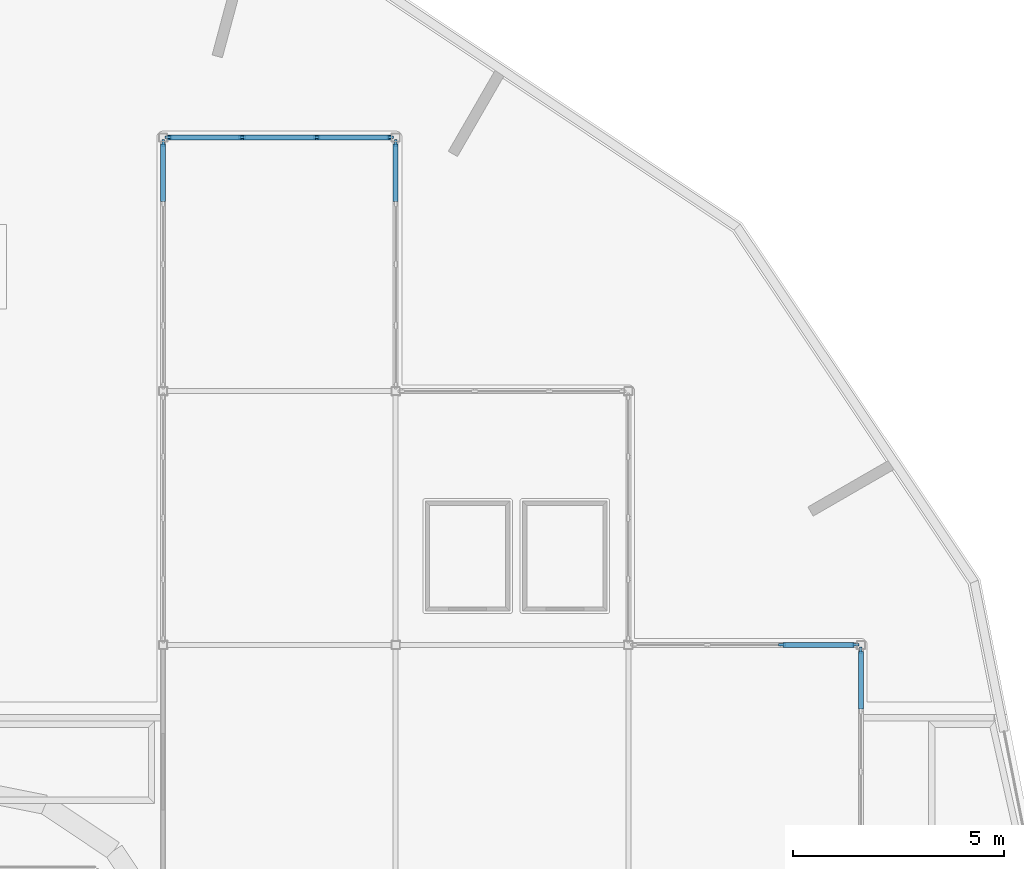
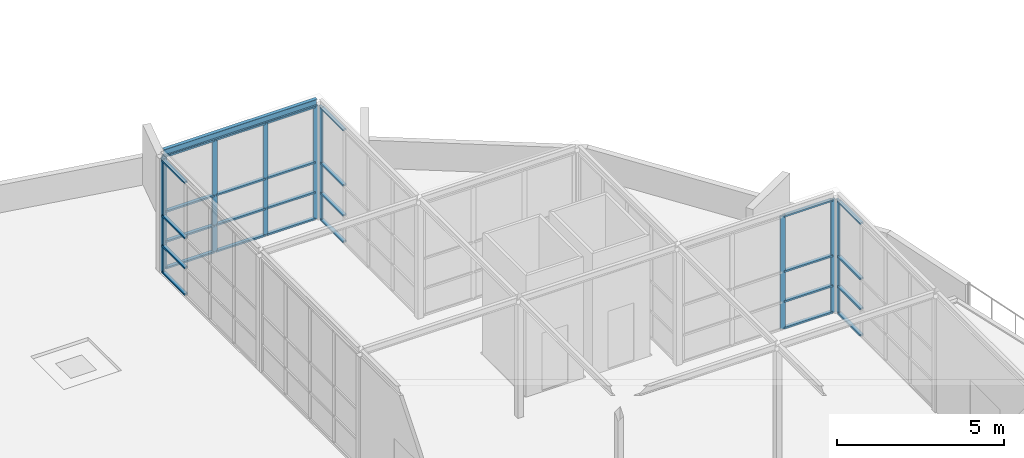
# One storey, part 15 of 40: 37 members, 1 beam, 5 elements without a shape of their own.
"""IFC4 building model written with IfcOpenShell, lengths in metres."""

from ifc_helpers import new_model, si_unit, direction, frame, origin, origin_2d, place, context, subcontext, project, spatial, rectangle, i_section, extrude, material, material_profile, profile_set, type_object, element, aggregate, save


model = new_model("IFC4")

# Units and contexts
model_context = context("Model", 3, precision=1e-05, world=origin(), true_north=direction((0.0, 1.0)))
body_context = subcontext(model_context, "Body", "Model", "MODEL_VIEW")
ifc_project = project(units=[si_unit("LENGTHUNIT", "METRE"), si_unit("AREAUNIT", "SQUARE_METRE"), si_unit("VOLUMEUNIT", "CUBIC_METRE"), si_unit("PLANEANGLEUNIT", "RADIAN"), si_unit("MASSUNIT", "GRAM", prefix="KILO")], contexts=[model_context])

# Site, building, storey
site_placement = place(None, origin())
site = spatial("IfcSite", under=ifc_project, at=site_placement, CompositionType="ELEMENT")
building_placement = place(site_placement, origin())
building = spatial("IfcBuilding", under=site, at=building_placement, Name="Ceibo Conservatory and Research Tower", CompositionType="ELEMENT")
storey_placement = place(building_placement, frame((0.0, 0.0, 6.0)))
storey = spatial("IfcBuildingStorey", under=building, at=storey_placement, Name="L01", CompositionType="ELEMENT", Elevation=6.0)

# Beam
ifc_material_1 = material(Name="Steel S355J2", Category="steel")
ifc_material_profile_1 = material_profile(ifc_material_1, i_section(OverallWidth=0.1201171875, OverallDepth=0.239990234375, WebThickness=0.006103515625, FlangeThickness=0.009765625, at=origin_2d()), Name="IPE 240")
ifc_profile_set_1 = profile_set([ifc_material_profile_1], Name="Steel S355J2")
beam_type = type_object("IfcBeamType", Name="IPE 240 gallery roof beam", PredefinedType="BEAM", material=ifc_profile_set_1)
beam_placement = place(storey_placement, frame((172.794921875, 56.39990234375, 4.280029296875), z_axis=(1.0, 0.0, 0.0), x_axis=(0.0, 1.0, 0.0)))
element("IfcBeam", 1, at=beam_placement, inside=storey, type_object=beam_type, Name="Sky Gallery roof beam VC-SBh05", PredefinedType="BEAM", context=body_context, shape_type="SweptSolid", body=[
    extrude(i_section(OverallWidth=0.1201171875, OverallDepth=0.239990234375, WebThickness=0.006103515625, FlangeThickness=0.009765625, at=origin_2d()), origin(), (0.0, 0.0, 1.0), 5.31005859375),
])

# Curtain wall, members
ifc_material_2 = material(Name="Aluminium and glass", Category="aluminium")
curtain_wall_type = type_object("IfcCurtainWallType", Name="Sky gallery curtain wall", PredefinedType="NOTDEFINED", material=ifc_material_2)
curtain_wall_1_placement = place(storey_placement, origin())
curtain_wall_1 = element("IfcCurtainWall", 2, at=curtain_wall_1_placement, inside=storey, type_object=curtain_wall_type, Name="Sky Gallery curtain wall h23", PredefinedType="NOTDEFINED")
ifc_material_3 = material(Name="Aluminium", Category="aluminium")
ifc_material_profile_2 = material_profile(ifc_material_3, rectangle(XDim=0.06005859375, YDim=0.159912109375, at=origin_2d()), Name="AL 60x160")
ifc_profile_set_2 = profile_set([ifc_material_profile_2], Name="Aluminium")
member_type_1 = type_object("IfcMemberType", Name="Sky gallery mullion 60x160", PredefinedType="MULLION", material=ifc_profile_set_2)
member_1_placement = place(storey_placement, frame((187.333251953125, 44.39990234375, 0.0), z_axis=(0.0, 0.0, 1.0), x_axis=(0.0, 1.0, 0.0)))
member_1 = element("IfcMember", 3, at=member_1_placement, type_object=member_type_1, Name="VC-SWh23 mullion 3", PredefinedType="MULLION", context=body_context, shape_type="SweptSolid", body=[
    extrude(rectangle(XDim=0.06005859375, YDim=0.159912109375, at=origin_2d()), origin(), (0.0, 0.0, 1.0), 4.159912109375),
])
member_2_placement = place(storey_placement, frame((189.070068359375, 44.39990234375, 0.0), z_axis=(0.0, 0.0, 1.0), x_axis=(0.0, 1.0, 0.0)))
member_2 = element("IfcMember", 4, at=member_2_placement, type_object=member_type_1, Name="VC-SWh23 mullion 4", PredefinedType="MULLION", context=body_context, shape_type="SweptSolid", body=[
    extrude(rectangle(XDim=0.06005859375, YDim=0.159912109375, at=origin_2d()), origin(), (0.0, 0.0, 1.0), 4.159912109375),
])

curtain_wall_2_placement = place(storey_placement, origin())
curtain_wall_2 = element("IfcCurtainWall", 5, at=curtain_wall_2_placement, inside=storey, type_object=curtain_wall_type, Name="Sky Gallery curtain wall h05", PredefinedType="NOTDEFINED")
member_3_placement = place(storey_placement, frame((172.830078125, 56.39990234375, 0.0), z_axis=(0.0, 0.0, 1.0), x_axis=(0.0, 1.0, 0.0)))
member_3 = element("IfcMember", 6, at=member_3_placement, type_object=member_type_1, Name="VC-SWh05 mullion 1", PredefinedType="MULLION", context=body_context, shape_type="SweptSolid", body=[
    extrude(rectangle(XDim=0.06005859375, YDim=0.159912109375, at=origin_2d()), origin(), (0.0, 0.0, 1.0), 4.159912109375),
])
member_4_placement = place(storey_placement, frame((174.566650390625, 56.39990234375, 0.0), z_axis=(0.0, 0.0, 1.0), x_axis=(0.0, 1.0, 0.0)))
member_4 = element("IfcMember", 7, at=member_4_placement, type_object=member_type_1, Name="VC-SWh05 mullion 2", PredefinedType="MULLION", context=body_context, shape_type="SweptSolid", body=[
    extrude(rectangle(XDim=0.06005859375, YDim=0.159912109375, at=origin_2d()), origin(), (0.0, 0.0, 1.0), 4.159912109375),
])
member_5_placement = place(storey_placement, frame((176.333251953125, 56.39990234375, 0.0), z_axis=(0.0, 0.0, 1.0), x_axis=(0.0, 1.0, 0.0)))
member_5 = element("IfcMember", 8, at=member_5_placement, type_object=member_type_1, Name="VC-SWh05 mullion 3", PredefinedType="MULLION", context=body_context, shape_type="SweptSolid", body=[
    extrude(rectangle(XDim=0.06005859375, YDim=0.159912109375, at=origin_2d()), origin(), (0.0, 0.0, 1.0), 4.159912109375),
])
member_6_placement = place(storey_placement, frame((178.070068359375, 56.39990234375, 0.0), z_axis=(0.0, 0.0, 1.0), x_axis=(0.0, 1.0, 0.0)))
member_6 = element("IfcMember", 9, at=member_6_placement, type_object=member_type_1, Name="VC-SWh05 mullion 4", PredefinedType="MULLION", context=body_context, shape_type="SweptSolid", body=[
    extrude(rectangle(XDim=0.06005859375, YDim=0.159912109375, at=origin_2d()), origin(), (0.0, 0.0, 1.0), 4.159912109375),
])

# Curtain wall, member
curtain_wall_3_placement = place(storey_placement, origin())
curtain_wall_3 = element("IfcCurtainWall", 10, at=curtain_wall_3_placement, inside=storey, type_object=curtain_wall_type, Name="Sky Gallery curtain wall v04", PredefinedType="NOTDEFINED")
member_7_placement = place(storey_placement, frame((172.699951171875, 56.27001953125, 0.0), z_axis=(0.0, 0.0, 1.0), x_axis=(-1.0, 0.0, 0.0)))
member_7 = element("IfcMember", 11, at=member_7_placement, type_object=member_type_1, Name="VC-SWv04 mullion 5", PredefinedType="MULLION", context=body_context, shape_type="SweptSolid", body=[
    extrude(rectangle(XDim=0.06005859375, YDim=0.159912109375, at=origin_2d()), origin(), (0.0, 0.0, 1.0), 4.159912109375),
])

curtain_wall_4_placement = place(storey_placement, origin())
curtain_wall_4 = element("IfcCurtainWall", 12, at=curtain_wall_4_placement, inside=storey, type_object=curtain_wall_type, Name="Sky Gallery curtain wall v14", PredefinedType="NOTDEFINED")
member_8_placement = place(storey_placement, frame((178.199951171875, 56.27001953125, 0.0), z_axis=(0.0, 0.0, 1.0), x_axis=(-1.0, 0.0, 0.0)))
member_8 = element("IfcMember", 13, at=member_8_placement, type_object=member_type_1, Name="VC-SWv14 mullion 5", PredefinedType="MULLION", context=body_context, shape_type="SweptSolid", body=[
    extrude(rectangle(XDim=0.06005859375, YDim=0.159912109375, at=origin_2d()), origin(), (0.0, 0.0, 1.0), 4.159912109375),
])

curtain_wall_5_placement = place(storey_placement, origin())
curtain_wall_5 = element("IfcCurtainWall", 14, at=curtain_wall_5_placement, inside=storey, type_object=curtain_wall_type, Name="Sky Gallery curtain wall v32", PredefinedType="NOTDEFINED")
member_9_placement = place(storey_placement, frame((189.199951171875, 44.27001953125, 0.0), z_axis=(0.0, 0.0, 1.0), x_axis=(-1.0, 0.0, 0.0)))
member_9 = element("IfcMember", 15, at=member_9_placement, type_object=member_type_1, Name="VC-SWv32 mullion 5", PredefinedType="MULLION", context=body_context, shape_type="SweptSolid", body=[
    extrude(rectangle(XDim=0.06005859375, YDim=0.159912109375, at=origin_2d()), origin(), (0.0, 0.0, 1.0), 4.159912109375),
])

# Member
ifc_material_profile_3 = material_profile(ifc_material_3, rectangle(XDim=0.1201171875, YDim=0.06005859375, at=origin_2d()), Name="AL 60x120")
ifc_profile_set_3 = profile_set([ifc_material_profile_3], Name="Aluminium")
member_type_2 = type_object("IfcMemberType", Name="Sky gallery transom 60x120", PredefinedType="USERDEFINED", material=ifc_profile_set_3)
member_10_placement = place(storey_placement, frame((187.36328125, 44.39990234375, 0.030029296875), z_axis=(1.0, 0.0, 0.0), x_axis=(0.0, 1.0, 0.0)))
member_10 = element("IfcMember", 16, at=member_10_placement, type_object=member_type_2, Name="VC-SWh23 transom 3.1", ObjectType="TRANSOM", PredefinedType="USERDEFINED", context=body_context, shape_type="SweptSolid", body=[
    extrude(rectangle(XDim=0.1201171875, YDim=0.06005859375, at=origin_2d()), origin(), (0.0, 0.0, 1.0), 1.6767578125),
])

member_11_placement = place(storey_placement, frame((187.36328125, 44.39990234375, 1.0), z_axis=(1.0, 0.0, 0.0), x_axis=(0.0, 1.0, 0.0)))
member_11 = element("IfcMember", 17, at=member_11_placement, type_object=member_type_2, Name="VC-SWh23 transom 3.2", ObjectType="TRANSOM", PredefinedType="USERDEFINED", context=body_context, shape_type="SweptSolid", body=[
    extrude(rectangle(XDim=0.1201171875, YDim=0.06005859375, at=origin_2d()), origin(), (0.0, 0.0, 1.0), 1.6767578125),
])

member_12_placement = place(storey_placement, frame((187.36328125, 44.39990234375, 2.10009765625), z_axis=(1.0, 0.0, 0.0), x_axis=(0.0, 1.0, 0.0)))
member_12 = element("IfcMember", 18, at=member_12_placement, type_object=member_type_2, Name="VC-SWh23 transom 3.3", ObjectType="TRANSOM", PredefinedType="USERDEFINED", context=body_context, shape_type="SweptSolid", body=[
    extrude(rectangle(XDim=0.1201171875, YDim=0.06005859375, at=origin_2d()), origin(), (0.0, 0.0, 1.0), 1.6767578125),
])

member_13_placement = place(storey_placement, frame((187.36328125, 44.39990234375, 4.1298828125), z_axis=(1.0, 0.0, 0.0), x_axis=(0.0, 1.0, 0.0)))
member_13 = element("IfcMember", 19, at=member_13_placement, type_object=member_type_2, Name="VC-SWh23 transom 3.4", ObjectType="TRANSOM", PredefinedType="USERDEFINED", context=body_context, shape_type="SweptSolid", body=[
    extrude(rectangle(XDim=0.1201171875, YDim=0.06005859375, at=origin_2d()), origin(), (0.0, 0.0, 1.0), 1.6767578125),
])

aggregate(curtain_wall_1, [member_1, member_2, member_10, member_11, member_12, member_13])

member_14_placement = place(storey_placement, frame((172.860107421875, 56.39990234375, 0.030029296875), z_axis=(1.0, 0.0, 0.0), x_axis=(0.0, 1.0, 0.0)))
member_14 = element("IfcMember", 20, at=member_14_placement, type_object=member_type_2, Name="VC-SWh05 transom 1.1", ObjectType="TRANSOM", PredefinedType="USERDEFINED", context=body_context, shape_type="SweptSolid", body=[
    extrude(rectangle(XDim=0.1201171875, YDim=0.06005859375, at=origin_2d()), origin(), (0.0, 0.0, 1.0), 1.676513671875),
])

member_15_placement = place(storey_placement, frame((172.860107421875, 56.39990234375, 1.0), z_axis=(1.0, 0.0, 0.0), x_axis=(0.0, 1.0, 0.0)))
member_15 = element("IfcMember", 21, at=member_15_placement, type_object=member_type_2, Name="VC-SWh05 transom 1.2", ObjectType="TRANSOM", PredefinedType="USERDEFINED", context=body_context, shape_type="SweptSolid", body=[
    extrude(rectangle(XDim=0.1201171875, YDim=0.06005859375, at=origin_2d()), origin(), (0.0, 0.0, 1.0), 1.676513671875),
])

member_16_placement = place(storey_placement, frame((172.860107421875, 56.39990234375, 2.10009765625), z_axis=(1.0, 0.0, 0.0), x_axis=(0.0, 1.0, 0.0)))
member_16 = element("IfcMember", 22, at=member_16_placement, type_object=member_type_2, Name="VC-SWh05 transom 1.3", ObjectType="TRANSOM", PredefinedType="USERDEFINED", context=body_context, shape_type="SweptSolid", body=[
    extrude(rectangle(XDim=0.1201171875, YDim=0.06005859375, at=origin_2d()), origin(), (0.0, 0.0, 1.0), 1.676513671875),
])

member_17_placement = place(storey_placement, frame((172.860107421875, 56.39990234375, 4.1298828125), z_axis=(1.0, 0.0, 0.0), x_axis=(0.0, 1.0, 0.0)))
member_17 = element("IfcMember", 23, at=member_17_placement, type_object=member_type_2, Name="VC-SWh05 transom 1.4", ObjectType="TRANSOM", PredefinedType="USERDEFINED", context=body_context, shape_type="SweptSolid", body=[
    extrude(rectangle(XDim=0.1201171875, YDim=0.06005859375, at=origin_2d()), origin(), (0.0, 0.0, 1.0), 1.676513671875),
])

member_18_placement = place(storey_placement, frame((174.5966796875, 56.39990234375, 0.030029296875), z_axis=(1.0, 0.0, 0.0), x_axis=(0.0, 1.0, 0.0)))
member_18 = element("IfcMember", 24, at=member_18_placement, type_object=member_type_2, Name="VC-SWh05 transom 2.1", ObjectType="TRANSOM", PredefinedType="USERDEFINED", context=body_context, shape_type="SweptSolid", body=[
    extrude(rectangle(XDim=0.1201171875, YDim=0.06005859375, at=origin_2d()), origin(), (0.0, 0.0, 1.0), 1.70654296875),
])

member_19_placement = place(storey_placement, frame((174.5966796875, 56.39990234375, 1.0), z_axis=(1.0, 0.0, 0.0), x_axis=(0.0, 1.0, 0.0)))
member_19 = element("IfcMember", 25, at=member_19_placement, type_object=member_type_2, Name="VC-SWh05 transom 2.2", ObjectType="TRANSOM", PredefinedType="USERDEFINED", context=body_context, shape_type="SweptSolid", body=[
    extrude(rectangle(XDim=0.1201171875, YDim=0.06005859375, at=origin_2d()), origin(), (0.0, 0.0, 1.0), 1.70654296875),
])

member_20_placement = place(storey_placement, frame((174.5966796875, 56.39990234375, 2.10009765625), z_axis=(1.0, 0.0, 0.0), x_axis=(0.0, 1.0, 0.0)))
member_20 = element("IfcMember", 26, at=member_20_placement, type_object=member_type_2, Name="VC-SWh05 transom 2.3", ObjectType="TRANSOM", PredefinedType="USERDEFINED", context=body_context, shape_type="SweptSolid", body=[
    extrude(rectangle(XDim=0.1201171875, YDim=0.06005859375, at=origin_2d()), origin(), (0.0, 0.0, 1.0), 1.70654296875),
])

member_21_placement = place(storey_placement, frame((174.5966796875, 56.39990234375, 4.1298828125), z_axis=(1.0, 0.0, 0.0), x_axis=(0.0, 1.0, 0.0)))
member_21 = element("IfcMember", 27, at=member_21_placement, type_object=member_type_2, Name="VC-SWh05 transom 2.4", ObjectType="TRANSOM", PredefinedType="USERDEFINED", context=body_context, shape_type="SweptSolid", body=[
    extrude(rectangle(XDim=0.1201171875, YDim=0.06005859375, at=origin_2d()), origin(), (0.0, 0.0, 1.0), 1.70654296875),
])

member_22_placement = place(storey_placement, frame((176.36328125, 56.39990234375, 0.030029296875), z_axis=(1.0, 0.0, 0.0), x_axis=(0.0, 1.0, 0.0)))
member_22 = element("IfcMember", 28, at=member_22_placement, type_object=member_type_2, Name="VC-SWh05 transom 3.1", ObjectType="TRANSOM", PredefinedType="USERDEFINED", context=body_context, shape_type="SweptSolid", body=[
    extrude(rectangle(XDim=0.1201171875, YDim=0.06005859375, at=origin_2d()), origin(), (0.0, 0.0, 1.0), 1.6767578125),
])

member_23_placement = place(storey_placement, frame((176.36328125, 56.39990234375, 1.0), z_axis=(1.0, 0.0, 0.0), x_axis=(0.0, 1.0, 0.0)))
member_23 = element("IfcMember", 29, at=member_23_placement, type_object=member_type_2, Name="VC-SWh05 transom 3.2", ObjectType="TRANSOM", PredefinedType="USERDEFINED", context=body_context, shape_type="SweptSolid", body=[
    extrude(rectangle(XDim=0.1201171875, YDim=0.06005859375, at=origin_2d()), origin(), (0.0, 0.0, 1.0), 1.6767578125),
])

member_24_placement = place(storey_placement, frame((176.36328125, 56.39990234375, 2.10009765625), z_axis=(1.0, 0.0, 0.0), x_axis=(0.0, 1.0, 0.0)))
member_24 = element("IfcMember", 30, at=member_24_placement, type_object=member_type_2, Name="VC-SWh05 transom 3.3", ObjectType="TRANSOM", PredefinedType="USERDEFINED", context=body_context, shape_type="SweptSolid", body=[
    extrude(rectangle(XDim=0.1201171875, YDim=0.06005859375, at=origin_2d()), origin(), (0.0, 0.0, 1.0), 1.6767578125),
])

member_25_placement = place(storey_placement, frame((176.36328125, 56.39990234375, 4.1298828125), z_axis=(1.0, 0.0, 0.0), x_axis=(0.0, 1.0, 0.0)))
member_25 = element("IfcMember", 31, at=member_25_placement, type_object=member_type_2, Name="VC-SWh05 transom 3.4", ObjectType="TRANSOM", PredefinedType="USERDEFINED", context=body_context, shape_type="SweptSolid", body=[
    extrude(rectangle(XDim=0.1201171875, YDim=0.06005859375, at=origin_2d()), origin(), (0.0, 0.0, 1.0), 1.6767578125),
])

aggregate(curtain_wall_2, [member_3, member_4, member_5, member_6, member_14, member_15, member_16, member_17, member_18, member_19, member_20, member_21, member_22, member_23, member_24, member_25])

member_26_placement = place(storey_placement, frame((172.699951171875, 54.8798828125, 0.030029296875), z_axis=(0.0, 1.0, 0.0), x_axis=(-1.0, 0.0, 0.0)))
member_26 = element("IfcMember", 32, at=member_26_placement, type_object=member_type_2, Name="VC-SWv04 transom 4.1", ObjectType="TRANSOM", PredefinedType="USERDEFINED", context=body_context, shape_type="SweptSolid", body=[
    extrude(rectangle(XDim=0.1201171875, YDim=0.06005859375, at=origin_2d()), origin(), (0.0, 0.0, 1.0), 1.360107421875),
])

member_27_placement = place(storey_placement, frame((172.699951171875, 54.8798828125, 1.0), z_axis=(0.0, 1.0, 0.0), x_axis=(-1.0, 0.0, 0.0)))
member_27 = element("IfcMember", 33, at=member_27_placement, type_object=member_type_2, Name="VC-SWv04 transom 4.2", ObjectType="TRANSOM", PredefinedType="USERDEFINED", context=body_context, shape_type="SweptSolid", body=[
    extrude(rectangle(XDim=0.1201171875, YDim=0.06005859375, at=origin_2d()), origin(), (0.0, 0.0, 1.0), 1.360107421875),
])

member_28_placement = place(storey_placement, frame((172.699951171875, 54.8798828125, 2.10009765625), z_axis=(0.0, 1.0, 0.0), x_axis=(-1.0, 0.0, 0.0)))
member_28 = element("IfcMember", 34, at=member_28_placement, type_object=member_type_2, Name="VC-SWv04 transom 4.3", ObjectType="TRANSOM", PredefinedType="USERDEFINED", context=body_context, shape_type="SweptSolid", body=[
    extrude(rectangle(XDim=0.1201171875, YDim=0.06005859375, at=origin_2d()), origin(), (0.0, 0.0, 1.0), 1.360107421875),
])

member_29_placement = place(storey_placement, frame((172.699951171875, 54.8798828125, 4.1298828125), z_axis=(0.0, 1.0, 0.0), x_axis=(-1.0, 0.0, 0.0)))
member_29 = element("IfcMember", 35, at=member_29_placement, type_object=member_type_2, Name="VC-SWv04 transom 4.4", ObjectType="TRANSOM", PredefinedType="USERDEFINED", context=body_context, shape_type="SweptSolid", body=[
    extrude(rectangle(XDim=0.1201171875, YDim=0.06005859375, at=origin_2d()), origin(), (0.0, 0.0, 1.0), 1.360107421875),
])

aggregate(curtain_wall_3, [member_7, member_26, member_27, member_28, member_29])

member_30_placement = place(storey_placement, frame((178.199951171875, 54.8798828125, 0.030029296875), z_axis=(0.0, 1.0, 0.0), x_axis=(-1.0, 0.0, 0.0)))
member_30 = element("IfcMember", 36, at=member_30_placement, type_object=member_type_2, Name="VC-SWv14 transom 4.1", ObjectType="TRANSOM", PredefinedType="USERDEFINED", context=body_context, shape_type="SweptSolid", body=[
    extrude(rectangle(XDim=0.1201171875, YDim=0.06005859375, at=origin_2d()), origin(), (0.0, 0.0, 1.0), 1.360107421875),
])

member_31_placement = place(storey_placement, frame((178.199951171875, 54.8798828125, 1.0), z_axis=(0.0, 1.0, 0.0), x_axis=(-1.0, 0.0, 0.0)))
member_31 = element("IfcMember", 37, at=member_31_placement, type_object=member_type_2, Name="VC-SWv14 transom 4.2", ObjectType="TRANSOM", PredefinedType="USERDEFINED", context=body_context, shape_type="SweptSolid", body=[
    extrude(rectangle(XDim=0.1201171875, YDim=0.06005859375, at=origin_2d()), origin(), (0.0, 0.0, 1.0), 1.360107421875),
])

member_32_placement = place(storey_placement, frame((178.199951171875, 54.8798828125, 2.10009765625), z_axis=(0.0, 1.0, 0.0), x_axis=(-1.0, 0.0, 0.0)))
member_32 = element("IfcMember", 38, at=member_32_placement, type_object=member_type_2, Name="VC-SWv14 transom 4.3", ObjectType="TRANSOM", PredefinedType="USERDEFINED", context=body_context, shape_type="SweptSolid", body=[
    extrude(rectangle(XDim=0.1201171875, YDim=0.06005859375, at=origin_2d()), origin(), (0.0, 0.0, 1.0), 1.360107421875),
])

member_33_placement = place(storey_placement, frame((178.199951171875, 54.8798828125, 4.1298828125), z_axis=(0.0, 1.0, 0.0), x_axis=(-1.0, 0.0, 0.0)))
member_33 = element("IfcMember", 39, at=member_33_placement, type_object=member_type_2, Name="VC-SWv14 transom 4.4", ObjectType="TRANSOM", PredefinedType="USERDEFINED", context=body_context, shape_type="SweptSolid", body=[
    extrude(rectangle(XDim=0.1201171875, YDim=0.06005859375, at=origin_2d()), origin(), (0.0, 0.0, 1.0), 1.360107421875),
])

aggregate(curtain_wall_4, [member_8, member_30, member_31, member_32, member_33])

member_34_placement = place(storey_placement, frame((189.199951171875, 42.8798828125, 0.030029296875), z_axis=(0.0, 1.0, 0.0), x_axis=(-1.0, 0.0, 0.0)))
member_34 = element("IfcMember", 40, at=member_34_placement, type_object=member_type_2, Name="VC-SWv32 transom 4.1", ObjectType="TRANSOM", PredefinedType="USERDEFINED", context=body_context, shape_type="SweptSolid", body=[
    extrude(rectangle(XDim=0.1201171875, YDim=0.06005859375, at=origin_2d()), origin(), (0.0, 0.0, 1.0), 1.360107421875),
])

member_35_placement = place(storey_placement, frame((189.199951171875, 42.8798828125, 1.0), z_axis=(0.0, 1.0, 0.0), x_axis=(-1.0, 0.0, 0.0)))
member_35 = element("IfcMember", 41, at=member_35_placement, type_object=member_type_2, Name="VC-SWv32 transom 4.2", ObjectType="TRANSOM", PredefinedType="USERDEFINED", context=body_context, shape_type="SweptSolid", body=[
    extrude(rectangle(XDim=0.1201171875, YDim=0.06005859375, at=origin_2d()), origin(), (0.0, 0.0, 1.0), 1.360107421875),
])

member_36_placement = place(storey_placement, frame((189.199951171875, 42.8798828125, 2.10009765625), z_axis=(0.0, 1.0, 0.0), x_axis=(-1.0, 0.0, 0.0)))
member_36 = element("IfcMember", 42, at=member_36_placement, type_object=member_type_2, Name="VC-SWv32 transom 4.3", ObjectType="TRANSOM", PredefinedType="USERDEFINED", context=body_context, shape_type="SweptSolid", body=[
    extrude(rectangle(XDim=0.1201171875, YDim=0.06005859375, at=origin_2d()), origin(), (0.0, 0.0, 1.0), 1.360107421875),
])

member_37_placement = place(storey_placement, frame((189.199951171875, 42.8798828125, 4.1298828125), z_axis=(0.0, 1.0, 0.0), x_axis=(-1.0, 0.0, 0.0)))
member_37 = element("IfcMember", 43, at=member_37_placement, type_object=member_type_2, Name="VC-SWv32 transom 4.4", ObjectType="TRANSOM", PredefinedType="USERDEFINED", context=body_context, shape_type="SweptSolid", body=[
    extrude(rectangle(XDim=0.1201171875, YDim=0.06005859375, at=origin_2d()), origin(), (0.0, 0.0, 1.0), 1.360107421875),
])

aggregate(curtain_wall_5, [member_9, member_34, member_35, member_36, member_37])

save(model, "model.ifc")
